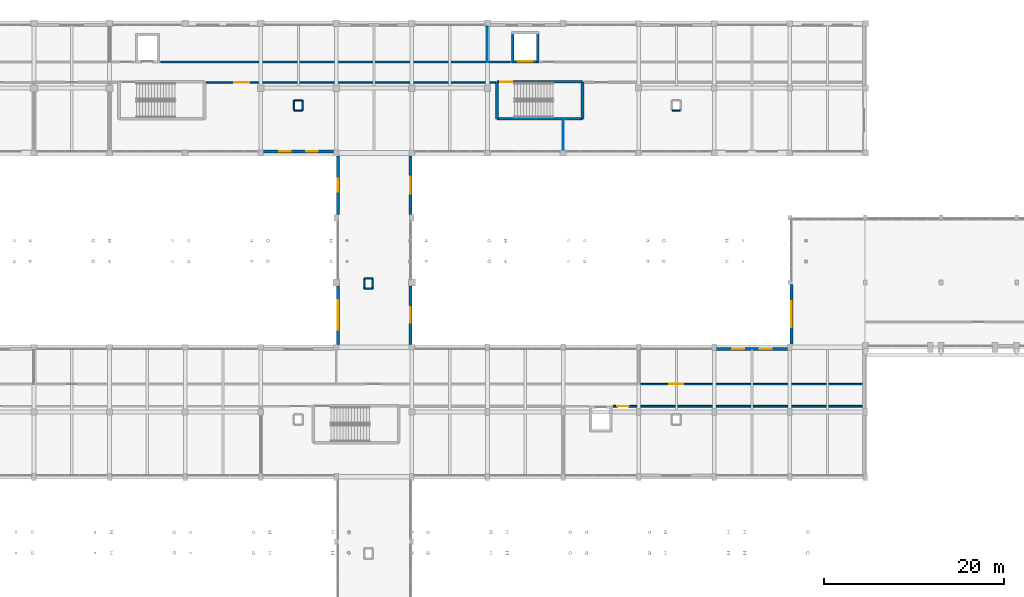
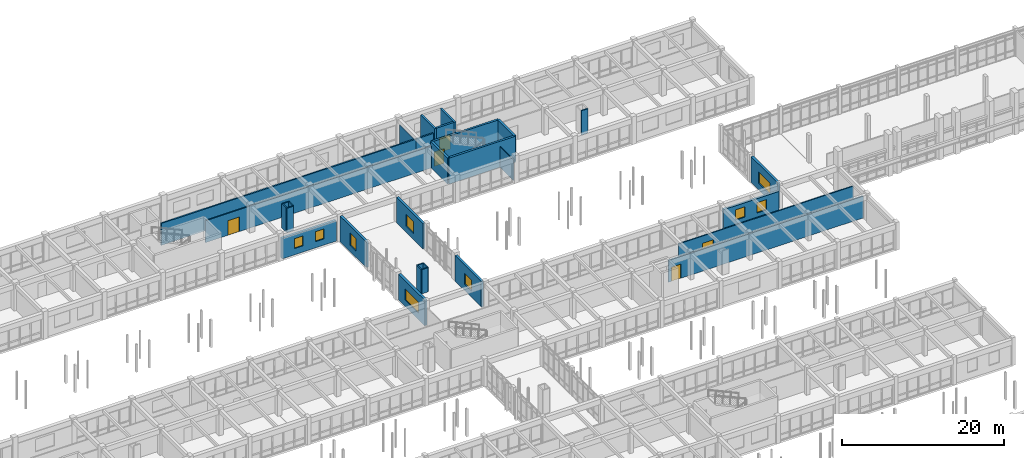
# One storey, part 134 of 147: 30 walls, 9 windows, 5 doors, 14 openings.
"""IFC4 building model written with IfcOpenShell, lengths in metres."""

from ifc_helpers import new_model, si_unit, direction, frame, frame_2d, origin, place, context, subcontext, project, spatial, rectangle, extrude, material, layer, layer_set, type_object, element, fill, save


model = new_model("IFC4")

# Units and contexts
model_context = context("Model", 3, precision=1e-05, world=origin(), true_north=direction((0.0, 1.0)))
body_context = subcontext(model_context, "Body", "Model", "MODEL_VIEW")
ifc_project = project(units=[si_unit("LENGTHUNIT", "METRE"), si_unit("AREAUNIT", "SQUARE_METRE"), si_unit("VOLUMEUNIT", "CUBIC_METRE"), si_unit("PLANEANGLEUNIT", "RADIAN"), si_unit("MASSUNIT", "GRAM", prefix="KILO")], contexts=[model_context])

# Site, building, storey
site_placement = place(None, origin())
site = spatial("IfcSite", under=ifc_project, at=site_placement, CompositionType="ELEMENT")
building_placement = place(site_placement, origin())
building = spatial("IfcBuilding", under=site, at=building_placement, Name="Malvenik Polytechnic", CompositionType="ELEMENT")
storey_placement = place(building_placement, frame((0.0, 0.0, 5.10009765625)))
storey = spatial("IfcBuildingStorey", under=building, at=storey_placement, Name="L01", CompositionType="ELEMENT", Elevation=5.10009765625)

# Wall, opening, door
ifc_material_1 = material(Name="Concrete C35/45", Category="concrete")
ifc_layer_1 = layer(ifc_material_1, 0.280029296875)
ifc_layer_set_1 = layer_set([ifc_layer_1], Name="Concrete C35/45")
wall_type_1 = type_object("IfcWallType", Name="ARC-CW-S280", PredefinedType="SHEAR", material=ifc_layer_set_1)
wall_1_placement = place(storey_placement, frame((98.139892578125, 125.35009765625, 0.0), z_axis=(0.0, 0.0, 1.0), x_axis=(-1.0, 0.0, 0.0)))
wall_1 = element("IfcWall", 1, at=wall_1_placement, inside=storey, type_object=wall_type_1, Name="Lift Shaft Shear Wall LG-01 L01 -Y", PredefinedType="SHEAR", context=body_context, shape_type="SweptSolid", body=[
    extrude(rectangle(XDim=3.079833984375, YDim=0.280029296875, at=frame_2d((1.5400390625, 0.0))), origin(), (0.0, 0.0, 1.0), 3.919921875),
])
opening_1_placement = place(wall_1_placement, frame((0.739990234375, 0.0, 0.0)))
opening_1 = element("IfcOpeningElement", 2, at=opening_1_placement, cuts=wall_1, Name="Opening LD-03", PredefinedType="OPENING", context=body_context, shape_type="SweptSolid", body=[
    extrude(rectangle(XDim=1.60009765625, YDim=2.199951171875, at=frame_2d((0.800048828125, 1.10009765625))), frame((0.0, 0.14990234375, 0.0), z_axis=(0.0, -1.0, 0.0), x_axis=(1.0, 0.0, 0.0)), (0.0, 0.0, 1.0), 0.300048828125),
])
ifc_material_2 = material(Name="Stainless steel fire-rated sliding lift landing door", Category="steel")
door_type_1 = type_object("IfcDoorType", Name="ARC-LDR-LD-03", OperationType="NOTDEFINED", PredefinedType="DOOR", material=ifc_material_2)
door_1_placement = place(opening_1_placement, origin())
door_1 = element("IfcDoor", 3, at=door_1_placement, inside=storey, type_object=door_type_1, Name="Lift Sliding Landing Door LG-01 L01", OperationType="DOUBLE_DOOR_SLIDING", OverallHeight=2.199951171875, OverallWidth=1.60009765625, PredefinedType="DOOR", context=body_context, shape_type="SweptSolid", body=[
    extrude(rectangle(XDim=1.60009765625, YDim=2.199951171875, at=frame_2d((0.800048828125, 1.10009765625))), frame((0.0, 0.02490234375, 0.0), z_axis=(0.0, -1.0, 0.0), x_axis=(1.0, 0.0, 0.0)), (0.0, 0.0, 1.0), 0.050048828125),
])
fill(opening_1, door_1)

# Walls
for number, where, z_axis, x_axis, name in (
    (4, (95.199951171875, 125.2099609375, 0.0), (0.0, 0.0, 1.0), (0.0, 1.0, 0.0), "Lift Shaft Shear Wall LG-01 L01 -X"),
    (5, (98.0, 128.68994140625, 0.0), (0.0, 0.0, 1.0), (0.0, -1.0, 0.0), "Lift Shaft Shear Wall LG-01 L01 +X"),
):
    element("IfcWall", number, at=place(storey_placement, frame(where, z_axis=z_axis, x_axis=x_axis)), inside=storey, type_object=wall_type_1, Name=name, PredefinedType="SHEAR", context=body_context, shape_type="SweptSolid", body=[
        extrude(rectangle(XDim=3.47998046875, YDim=0.280029296875, at=frame_2d((1.739990234375, 0.0))), origin(), (0.0, 0.0, 1.0), 3.919921875),
    ])
ifc_layer_2 = layer(ifc_material_1, 0.300048828125)
ifc_layer_set_2 = layer_set([ifc_layer_2], Name="Concrete C35/45")
wall_type_2 = type_object("IfcWallType", Name="ARC-CW-S300", PredefinedType="SHEAR", material=ifc_layer_set_2)
wall_2_placement = place(storey_placement, frame((93.449951171875, 119.0, 0.0), z_axis=(0.0, 0.0, 1.0), x_axis=(0.0, 1.0, 0.0)))
element("IfcWall", 6, at=wall_2_placement, inside=storey, type_object=wall_type_2, Name="Stair Core Shear Wall ST-03 L01 NEAR", PredefinedType="SHEAR", context=body_context, shape_type="SweptSolid", body=[
    extrude(rectangle(XDim=4.10009765625, YDim=0.300048828125, at=frame_2d((2.050048828125, 0.0))), origin(), (0.0, 0.0, 1.0), 3.919921875),
])

# Wall, opening, door
wall_3_placement = place(storey_placement, frame((93.449951171875, 123.10009765625, 0.0), z_axis=(0.0, 0.0, 1.0), x_axis=(1.0, 0.0, 0.0)))
wall_3 = element("IfcWall", 7, at=wall_3_placement, inside=storey, type_object=wall_type_2, Name="Stair Core Shear Wall ST-03 L01 RGHT", PredefinedType="SHEAR", context=body_context, shape_type="SweptSolid", body=[
    extrude(rectangle(XDim=9.5, YDim=0.300048828125, at=frame_2d((4.75, 0.0))), origin(), (0.0, 0.0, 1.0), 3.919921875),
])
opening_2_placement = place(wall_3_placement, frame((0.35009765625, 0.0, 0.0)))
opening_2 = element("IfcOpeningElement", 8, at=opening_2_placement, cuts=wall_3, Name="Opening SD-01", PredefinedType="OPENING", context=body_context, shape_type="SweptSolid", body=[
    extrude(rectangle(XDim=1.35009765625, YDim=2.199951171875, at=frame_2d((0.675048828125, 1.10009765625))), frame((0.0, 0.16015625, 0.0), z_axis=(0.0, -1.0, 0.0), x_axis=(1.0, 0.0, 0.0)), (0.0, 0.0, 1.0), 0.320068359375),
])
ifc_material_3 = material(Name="Fire-rated steel stair enclosure door", Category="steel")
door_type_2 = type_object("IfcDoorType", Name="ARC-IDR-SD-01", OperationType="NOTDEFINED", PredefinedType="DOOR", material=ifc_material_3)
door_2_placement = place(opening_2_placement, origin())
door_2 = element("IfcDoor", 9, at=door_2_placement, inside=storey, type_object=door_type_2, Name="Fire Stair Door ST-03 L01", OperationType="SINGLE_SWING_RIGHT", OverallHeight=2.199951171875, OverallWidth=1.35009765625, PredefinedType="DOOR", context=body_context, shape_type="SweptSolid", body=[
    extrude(rectangle(XDim=1.35009765625, YDim=2.199951171875, at=frame_2d((0.675048828125, 1.10009765625))), frame((0.0, 0.02490234375, 0.0), z_axis=(0.0, -1.0, 0.0), x_axis=(1.0, 0.0, 0.0)), (0.0, 0.0, 1.0), 0.050048828125),
])
fill(opening_2, door_2)

# Walls
wall_4_placement = place(storey_placement, frame((102.949951171875, 123.10009765625, 0.0), z_axis=(0.0, 0.0, 1.0), x_axis=(0.0, -1.0, 0.0)))
element("IfcWall", 10, at=wall_4_placement, inside=storey, type_object=wall_type_2, Name="Stair Core Shear Wall ST-03 L01 FAR", PredefinedType="SHEAR", context=body_context, shape_type="SweptSolid", body=[
    extrude(rectangle(XDim=4.10009765625, YDim=0.300048828125, at=frame_2d((2.050048828125, 0.0))), origin(), (0.0, 0.0, 1.0), 3.919921875),
])
wall_5_placement = place(storey_placement, frame((102.949951171875, 119.0, 0.0), z_axis=(0.0, 0.0, 1.0), x_axis=(-1.0, 0.0, 0.0)))
element("IfcWall", 11, at=wall_5_placement, inside=storey, type_object=wall_type_2, Name="Stair Core Shear Wall ST-03 L01 LEFT", PredefinedType="SHEAR", context=body_context, shape_type="SweptSolid", body=[
    extrude(rectangle(XDim=9.5, YDim=0.300048828125, at=frame_2d((4.75, 0.0))), origin(), (0.0, 0.0, 1.0), 3.919921875),
])

# Wall, opening, window
ifc_material_4 = material(Name="Concrete C30/37", Category="concrete")
ifc_layer_3 = layer(ifc_material_4, 0.340087890625)
ifc_layer_set_3 = layer_set([ifc_layer_3], Name="Concrete C30/37")
wall_type_3 = type_object("IfcWallType", Name="ARC-EW-340", PredefinedType="SOLIDWALL", material=ifc_layer_set_3)
wall_6_placement = place(storey_placement, frame((75.77001953125, 93.923095703125, 0.0), z_axis=(0.0, 0.0, 1.0), x_axis=(0.0, 1.0, 0.0)))
wall_6 = element("IfcWall", 12, at=wall_6_placement, inside=storey, type_object=wall_type_3, Name="External Facade Wall EW-02 L01 #183", PredefinedType="SOLIDWALL", context=body_context, shape_type="SweptSolid", body=[
    extrude(rectangle(XDim=6.50390625, YDim=0.340087890625, at=frame_2d((3.251953125, 0.0))), origin(), (0.0, 0.0, 1.0), 3.85986328125),
])
opening_3_placement = place(wall_6_placement, frame((1.60205078125, 0.0, 0.949951171875)))
opening_3 = element("IfcOpeningElement", 13, at=opening_3_placement, cuts=wall_6, Name="Opening W-30", PredefinedType="OPENING", context=body_context, shape_type="SweptSolid", body=[
    extrude(rectangle(XDim=3.300048828125, YDim=1.64990234375, at=frame_2d((1.64990234375, 0.824951171875))), frame((0.0, 0.18017578125, 0.0), z_axis=(0.0, -1.0, 0.0), x_axis=(1.0, 0.0, 0.0)), (0.0, 0.0, 1.0), 0.360107421875),
])
ifc_material_5 = material(Name="Thermally broken aluminium frame with low-E double glazing", Category="aluminium")
window_type_1 = type_object("IfcWindowType", Name="ARC-WIN-W-30", PartitioningType="SINGLE_PANEL", PredefinedType="WINDOW", material=ifc_material_5)
window_1_placement = place(opening_3_placement, origin())
window_1 = element("IfcWindow", 14, at=window_1_placement, inside=storey, type_object=window_type_1, Name="Punched Window W-30 L01 #147", OverallHeight=1.64990234375, OverallWidth=3.300048828125, PartitioningType="SINGLE_PANEL", PredefinedType="WINDOW", context=body_context, shape_type="SweptSolid", body=[
    extrude(rectangle(XDim=3.300048828125, YDim=1.64990234375, at=frame_2d((1.64990234375, 0.824951171875))), frame((0.0, 0.030029296875, 0.0), z_axis=(0.0, -1.0, 0.0), x_axis=(1.0, 0.0, 0.0)), (0.0, 0.0, 1.0), 0.06005859375),
])
fill(opening_3, window_1)

wall_7_placement = place(storey_placement, frame((75.77001953125, 108.373046875, 0.0), z_axis=(0.0, 0.0, 1.0), x_axis=(0.0, 1.0, 0.0)))
wall_7 = element("IfcWall", 15, at=wall_7_placement, inside=storey, type_object=wall_type_3, Name="External Facade Wall EW-02 L01 #184", PredefinedType="SOLIDWALL", context=body_context, shape_type="SweptSolid", body=[
    extrude(rectangle(XDim=6.50390625, YDim=0.340087890625, at=frame_2d((3.251953125, 0.0))), origin(), (0.0, 0.0, 1.0), 3.85986328125),
])
opening_4_placement = place(wall_7_placement, frame((2.527099609375, 0.0, 0.949951171875)))
opening_4 = element("IfcOpeningElement", 16, at=opening_4_placement, cuts=wall_7, Name="Opening W-31", PredefinedType="OPENING", context=body_context, shape_type="SweptSolid", body=[
    extrude(rectangle(XDim=1.449951171875, YDim=1.85009765625, at=frame_2d((0.72509765625, 0.925048828125))), frame((0.0, 0.18017578125, 0.0), z_axis=(0.0, -1.0, 0.0), x_axis=(1.0, 0.0, 0.0)), (0.0, 0.0, 1.0), 0.360107421875),
])
window_type_2 = type_object("IfcWindowType", Name="ARC-WIN-W-31", PartitioningType="SINGLE_PANEL", PredefinedType="WINDOW", material=ifc_material_5)
window_2_placement = place(opening_4_placement, origin())
window_2 = element("IfcWindow", 17, at=window_2_placement, inside=storey, type_object=window_type_2, Name="Punched Window W-31 L01 #148", OverallHeight=1.85009765625, OverallWidth=1.449951171875, PartitioningType="SINGLE_PANEL", PredefinedType="WINDOW", context=body_context, shape_type="SweptSolid", body=[
    extrude(rectangle(XDim=1.449951171875, YDim=1.85009765625, at=frame_2d((0.72509765625, 0.925048828125))), frame((0.0, 0.030029296875, 0.0), z_axis=(0.0, -1.0, 0.0), x_axis=(1.0, 0.0, 0.0)), (0.0, 0.0, 1.0), 0.06005859375),
])
fill(opening_4, window_2)

# Wall, openings, windows
wall_8_placement = place(storey_placement, frame((75.277099609375, 115.3701171875, 0.0), z_axis=(0.0, 0.0, 1.0), x_axis=(-1.0, 0.0, 0.0)))
wall_8 = element("IfcWall", 18, at=wall_8_placement, inside=storey, type_object=wall_type_3, Name="External Facade Wall EW-02 L01 #185", PredefinedType="SOLIDWALL", context=body_context, shape_type="SweptSolid", body=[
    extrude(rectangle(XDim=7.754150390625, YDim=0.340087890625, at=frame_2d((3.876953125, 0.0))), origin(), (0.0, 0.0, 1.0), 3.10986328125),
])
opening_5_placement = place(wall_8_placement, frame((1.751220703125, 0.0, 0.949951171875)))
opening_5 = element("IfcOpeningElement", 19, at=opening_5_placement, cuts=wall_8, Name="Opening W-32", PredefinedType="OPENING", context=body_context, shape_type="SweptSolid", body=[
    extrude(rectangle(XDim=1.25, YDim=1.5, at=frame_2d((0.625, 0.75))), frame((0.0, 0.18017578125, 0.0), z_axis=(0.0, -1.0, 0.0), x_axis=(1.0, 0.0, 0.0)), (0.0, 0.0, 1.0), 0.360107421875),
])
opening_6_placement = place(wall_8_placement, frame((4.752685546875, 0.0, 0.949951171875)))
opening_6 = element("IfcOpeningElement", 20, at=opening_6_placement, cuts=wall_8, Name="Opening W-32", PredefinedType="OPENING", context=body_context, shape_type="SweptSolid", body=[
    extrude(rectangle(XDim=1.25, YDim=1.5, at=frame_2d((0.625, 0.75))), frame((0.0, 0.18017578125, 0.0), z_axis=(0.0, -1.0, 0.0), x_axis=(1.0, 0.0, 0.0)), (0.0, 0.0, 1.0), 0.360107421875),
])
window_type_3 = type_object("IfcWindowType", Name="ARC-WIN-W-32", PartitioningType="SINGLE_PANEL", PredefinedType="WINDOW", material=ifc_material_5)
window_3_placement = place(opening_5_placement, origin())
window_3 = element("IfcWindow", 21, at=window_3_placement, inside=storey, type_object=window_type_3, Name="Punched Window W-32 L01 #149", OverallHeight=1.5, OverallWidth=1.25, PartitioningType="SINGLE_PANEL", PredefinedType="WINDOW", context=body_context, shape_type="SweptSolid", body=[
    extrude(rectangle(XDim=1.25, YDim=1.5, at=frame_2d((0.625, 0.75))), frame((0.0, 0.030029296875, 0.0), z_axis=(0.0, -1.0, 0.0), x_axis=(1.0, 0.0, 0.0)), (0.0, 0.0, 1.0), 0.06005859375),
])
fill(opening_5, window_3)
window_4_placement = place(opening_6_placement, origin())
window_4 = element("IfcWindow", 22, at=window_4_placement, inside=storey, type_object=window_type_3, Name="Punched Window W-32 L01 #150", OverallHeight=1.5, OverallWidth=1.25, PartitioningType="SINGLE_PANEL", PredefinedType="WINDOW", context=body_context, shape_type="SweptSolid", body=[
    extrude(rectangle(XDim=1.25, YDim=1.5, at=frame_2d((0.625, 0.75))), frame((0.0, 0.030029296875, 0.0), z_axis=(0.0, -1.0, 0.0), x_axis=(1.0, 0.0, 0.0)), (0.0, 0.0, 1.0), 0.06005859375),
])
fill(opening_6, window_4)

# Wall, opening, window
wall_9_placement = place(storey_placement, frame((83.830078125, 114.876953125, 0.0), z_axis=(0.0, 0.0, 1.0), x_axis=(0.0, -1.0, 0.0)))
wall_9 = element("IfcWall", 23, at=wall_9_placement, inside=storey, type_object=wall_type_3, Name="External Facade Wall EW-02 L01 #201", PredefinedType="SOLIDWALL", context=body_context, shape_type="SweptSolid", body=[
    extrude(rectangle(XDim=6.50390625, YDim=0.340087890625, at=frame_2d((3.251953125, 0.0))), origin(), (0.0, 0.0, 1.0), 3.85986328125),
])
opening_7_placement = place(wall_9_placement, frame((2.302001953125, 0.0, 0.949951171875)))
opening_7 = element("IfcOpeningElement", 24, at=opening_7_placement, cuts=wall_9, Name="Opening W-24", PredefinedType="OPENING", context=body_context, shape_type="SweptSolid", body=[
    extrude(rectangle(XDim=1.89990234375, YDim=1.75, at=frame_2d((0.949951171875, 0.875))), frame((0.0, 0.18017578125, 0.0), z_axis=(0.0, -1.0, 0.0), x_axis=(1.0, 0.0, 0.0)), (0.0, 0.0, 1.0), 0.360107421875),
])
window_type_4 = type_object("IfcWindowType", Name="ARC-WIN-W-24", PartitioningType="SINGLE_PANEL", PredefinedType="WINDOW", material=ifc_material_5)
window_5_placement = place(opening_7_placement, origin())
window_5 = element("IfcWindow", 25, at=window_5_placement, inside=storey, type_object=window_type_4, Name="Punched Window W-24 L01 #173", OverallHeight=1.75, OverallWidth=1.89990234375, PartitioningType="SINGLE_PANEL", PredefinedType="WINDOW", context=body_context, shape_type="SweptSolid", body=[
    extrude(rectangle(XDim=1.89990234375, YDim=1.75, at=frame_2d((0.949951171875, 0.875))), frame((0.0, 0.030029296875, 0.0), z_axis=(0.0, -1.0, 0.0), x_axis=(1.0, 0.0, 0.0)), (0.0, 0.0, 1.0), 0.06005859375),
])
fill(opening_7, window_5)

wall_10_placement = place(storey_placement, frame((83.830078125, 100.427001953125, 0.0), z_axis=(0.0, 0.0, 1.0), x_axis=(0.0, -1.0, 0.0)))
wall_10 = element("IfcWall", 26, at=wall_10_placement, inside=storey, type_object=wall_type_3, Name="External Facade Wall EW-02 L01 #202", PredefinedType="SOLIDWALL", context=body_context, shape_type="SweptSolid", body=[
    extrude(rectangle(XDim=6.50390625, YDim=0.340087890625, at=frame_2d((3.251953125, 0.0))), origin(), (0.0, 0.0, 1.0), 3.85986328125),
])
opening_8_placement = place(wall_10_placement, frame((2.402099609375, 0.0, 0.949951171875)))
opening_8 = element("IfcOpeningElement", 27, at=opening_8_placement, cuts=wall_10, Name="Opening W-25", PredefinedType="OPENING", context=body_context, shape_type="SweptSolid", body=[
    extrude(rectangle(XDim=1.699951171875, YDim=1.64990234375, at=frame_2d((0.85009765625, 0.824951171875))), frame((0.0, 0.18017578125, 0.0), z_axis=(0.0, -1.0, 0.0), x_axis=(1.0, 0.0, 0.0)), (0.0, 0.0, 1.0), 0.360107421875),
])
window_type_5 = type_object("IfcWindowType", Name="ARC-WIN-W-25", PartitioningType="SINGLE_PANEL", PredefinedType="WINDOW", material=ifc_material_5)
window_6_placement = place(opening_8_placement, origin())
window_6 = element("IfcWindow", 28, at=window_6_placement, inside=storey, type_object=window_type_5, Name="Punched Window W-25 L01 #174", OverallHeight=1.64990234375, OverallWidth=1.699951171875, PartitioningType="SINGLE_PANEL", PredefinedType="WINDOW", context=body_context, shape_type="SweptSolid", body=[
    extrude(rectangle(XDim=1.699951171875, YDim=1.64990234375, at=frame_2d((0.85009765625, 0.824951171875))), frame((0.0, 0.030029296875, 0.0), z_axis=(0.0, -1.0, 0.0), x_axis=(1.0, 0.0, 0.0)), (0.0, 0.0, 1.0), 0.06005859375),
])
fill(opening_8, window_6)

# Wall, openings, windows
wall_11_placement = place(storey_placement, frame((117.847900390625, 93.429931640625, 0.0), z_axis=(0.0, 0.0, 1.0), x_axis=(1.0, 0.0, 0.0)))
wall_11 = element("IfcWall", 29, at=wall_11_placement, inside=storey, type_object=wall_type_3, Name="External Facade Wall EW-02 L01 #203", PredefinedType="SOLIDWALL", context=body_context, shape_type="SweptSolid", body=[
    extrude(rectangle(XDim=7.904052734375, YDim=0.340087890625, at=frame_2d((3.9521484375, 0.0))), origin(), (0.0, 0.0, 1.0), 3.10986328125),
])
opening_9_placement = place(wall_11_placement, frame((1.734619140625, 0.0, 0.949951171875)))
opening_9 = element("IfcOpeningElement", 30, at=opening_9_placement, cuts=wall_11, Name="Opening W-26", PredefinedType="OPENING", context=body_context, shape_type="SweptSolid", body=[
    extrude(rectangle(XDim=1.35009765625, YDim=1.550048828125, at=frame_2d((0.675048828125, 0.77490234375))), frame((0.0, 0.18017578125, 0.0), z_axis=(0.0, -1.0, 0.0), x_axis=(1.0, 0.0, 0.0)), (0.0, 0.0, 1.0), 0.360107421875),
])
opening_10_placement = place(wall_11_placement, frame((4.8193359375, 0.0, 0.949951171875)))
opening_10 = element("IfcOpeningElement", 31, at=opening_10_placement, cuts=wall_11, Name="Opening W-26", PredefinedType="OPENING", context=body_context, shape_type="SweptSolid", body=[
    extrude(rectangle(XDim=1.35009765625, YDim=1.550048828125, at=frame_2d((0.675048828125, 0.77490234375))), frame((0.0, 0.18017578125, 0.0), z_axis=(0.0, -1.0, 0.0), x_axis=(1.0, 0.0, 0.0)), (0.0, 0.0, 1.0), 0.360107421875),
])
window_type_6 = type_object("IfcWindowType", Name="ARC-WIN-W-26", PartitioningType="SINGLE_PANEL", PredefinedType="WINDOW", material=ifc_material_5)
window_7_placement = place(opening_9_placement, origin())
window_7 = element("IfcWindow", 32, at=window_7_placement, inside=storey, type_object=window_type_6, Name="Punched Window W-26 L01 #175", OverallHeight=1.550048828125, OverallWidth=1.35009765625, PartitioningType="SINGLE_PANEL", PredefinedType="WINDOW", context=body_context, shape_type="SweptSolid", body=[
    extrude(rectangle(XDim=1.35009765625, YDim=1.550048828125, at=frame_2d((0.675048828125, 0.77490234375))), frame((0.0, 0.030029296875, 0.0), z_axis=(0.0, -1.0, 0.0), x_axis=(1.0, 0.0, 0.0)), (0.0, 0.0, 1.0), 0.06005859375),
])
fill(opening_9, window_7)
window_8_placement = place(opening_10_placement, origin())
window_8 = element("IfcWindow", 33, at=window_8_placement, inside=storey, type_object=window_type_6, Name="Punched Window W-26 L01 #176", OverallHeight=1.550048828125, OverallWidth=1.35009765625, PartitioningType="SINGLE_PANEL", PredefinedType="WINDOW", context=body_context, shape_type="SweptSolid", body=[
    extrude(rectangle(XDim=1.35009765625, YDim=1.550048828125, at=frame_2d((0.675048828125, 0.77490234375))), frame((0.0, 0.030029296875, 0.0), z_axis=(0.0, -1.0, 0.0), x_axis=(1.0, 0.0, 0.0)), (0.0, 0.0, 1.0), 0.06005859375),
])
fill(opening_10, window_8)

# Wall, opening, window
wall_12_placement = place(storey_placement, frame((126.169921875, 93.972900390625, 0.0), z_axis=(0.0, 0.0, 1.0), x_axis=(0.0, 1.0, 0.0)))
wall_12 = element("IfcWall", 34, at=wall_12_placement, inside=storey, type_object=wall_type_3, Name="External Facade Wall EW-02 L01 #204", PredefinedType="SOLIDWALL", context=body_context, shape_type="SweptSolid", body=[
    extrude(rectangle(XDim=6.60400390625, YDim=0.340087890625, at=frame_2d((3.302001953125, 0.0))), origin(), (0.0, 0.0, 1.0), 3.85986328125),
])
opening_11_placement = place(wall_12_placement, frame((1.85205078125, 0.0, 0.949951171875)))
opening_11 = element("IfcOpeningElement", 35, at=opening_11_placement, cuts=wall_12, Name="Opening W-28", PredefinedType="OPENING", context=body_context, shape_type="SweptSolid", body=[
    extrude(rectangle(XDim=2.89990234375, YDim=1.75, at=frame_2d((1.449951171875, 0.875))), frame((0.0, 0.18017578125, 0.0), z_axis=(0.0, -1.0, 0.0), x_axis=(1.0, 0.0, 0.0)), (0.0, 0.0, 1.0), 0.360107421875),
])
window_type_7 = type_object("IfcWindowType", Name="ARC-WIN-W-28", PartitioningType="SINGLE_PANEL", PredefinedType="WINDOW", material=ifc_material_5)
window_9_placement = place(opening_11_placement, origin())
window_9 = element("IfcWindow", 36, at=window_9_placement, inside=storey, type_object=window_type_7, Name="Punched Window W-28 L01 #177", OverallHeight=1.75, OverallWidth=2.89990234375, PartitioningType="SINGLE_PANEL", PredefinedType="WINDOW", context=body_context, shape_type="SweptSolid", body=[
    extrude(rectangle(XDim=2.89990234375, YDim=1.75, at=frame_2d((1.449951171875, 0.875))), frame((0.0, 0.030029296875, 0.0), z_axis=(0.0, -1.0, 0.0), x_axis=(1.0, 0.0, 0.0)), (0.0, 0.0, 1.0), 0.06005859375),
])
fill(opening_11, window_9)

# Walls
ifc_material_6 = material(Name="Calcium silicate fire-rated blockwork 200mm", Category="masonry")
ifc_layer_4 = layer(ifc_material_6, 0.199951171875)
ifc_layer_set_4 = layer_set([ifc_layer_4], Name="Calcium silicate fire-rated blockwork 200mm")
wall_type_4 = type_object("IfcWallType", Name="ARC-FW-200", PredefinedType="SOLIDWALL", material=ifc_layer_set_4)
wall_13_placement = place(storey_placement, frame((56.070068359375, 125.300048828125, 0.0), z_axis=(0.0, 0.0, 1.0), x_axis=(1.0, 0.0, 0.0)))
element("IfcWall", 37, at=wall_13_placement, inside=storey, type_object=wall_type_4, Name="Interior Partition FW-02 L01 #154", PredefinedType="SOLIDWALL", context=body_context, shape_type="SweptSolid", body=[
    extrude(rectangle(XDim=36.329833984375, YDim=0.199951171875, at=frame_2d((18.1650390625, 0.0))), origin(), (0.0, 0.0, 1.0), 3.304931640625),
])
wall_14_placement = place(storey_placement, frame((92.39990234375, 125.300048828125, 0.0), z_axis=(0.0, 0.0, 1.0), x_axis=(1.0, 0.0, 0.0)))
element("IfcWall", 38, at=wall_14_placement, inside=storey, type_object=wall_type_4, Name="Interior Partition FW-02 L01 #156", PredefinedType="SOLIDWALL", context=body_context, shape_type="SweptSolid", body=[
    extrude(rectangle(XDim=2.530029296875, YDim=0.199951171875, at=frame_2d((1.26513671875, 0.0))), origin(), (0.0, 0.0, 1.0), 3.304931640625),
])

# Wall, opening, door
wall_15_placement = place(storey_placement, frame((134.179931640625, 87.050048828125, 0.0), z_axis=(0.0, 0.0, 1.0), x_axis=(-1.0, 0.0, 0.0)))
wall_15 = element("IfcWall", 39, at=wall_15_placement, inside=storey, type_object=wall_type_4, Name="Interior Partition FW-02 L01 #194", PredefinedType="SOLIDWALL", context=body_context, shape_type="SweptSolid", body=[
    extrude(rectangle(XDim=27.809814453125, YDim=0.199951171875, at=frame_2d((13.90478515625, 0.0))), origin(), (0.0, 0.0, 1.0), 3.304931640625),
])
opening_12_placement = place(wall_15_placement, frame((26.06005859375, 0.0, 0.0)))
opening_12 = element("IfcOpeningElement", 40, at=opening_12_placement, cuts=wall_15, Name="Opening FD-04", PredefinedType="OPENING", context=body_context, shape_type="SweptSolid", body=[
    extrude(rectangle(XDim=1.300048828125, YDim=2.14990234375, at=frame_2d((0.64990234375, 1.074951171875))), frame((0.0, 0.10986328125, 0.0), z_axis=(0.0, -1.0, 0.0), x_axis=(1.0, 0.0, 0.0)), (0.0, 0.0, 1.0), 0.219970703125),
])
ifc_material_7 = material(Name="Fire-rated plant room steel door", Category="steel")
door_type_3 = type_object("IfcDoorType", Name="ARC-IDR-FD-04", OperationType="NOTDEFINED", PredefinedType="DOOR", material=ifc_material_7)
door_3_placement = place(opening_12_placement, origin())
door_3 = element("IfcDoor", 41, at=door_3_placement, inside=storey, type_object=door_type_3, Name="Interior Door FD-04 L01 #82", OperationType="SINGLE_SWING_RIGHT", OverallHeight=2.14990234375, OverallWidth=1.300048828125, PredefinedType="DOOR", context=body_context, shape_type="SweptSolid", body=[
    extrude(rectangle(XDim=1.300048828125, YDim=2.14990234375, at=frame_2d((0.64990234375, 1.074951171875))), frame((0.0, 0.02490234375, 0.0), z_axis=(0.0, -1.0, 0.0), x_axis=(1.0, 0.0, 0.0)), (0.0, 0.0, 1.0), 0.050048828125),
])
fill(opening_12, door_3)

# Walls
ifc_material_8 = material(Name="Lightweight gypsum partition 110mm", Category="gypsum")
ifc_layer_5 = layer(ifc_material_8, 0.110107421875)
ifc_layer_set_5 = layer_set([ifc_layer_5], Name="Lightweight gypsum partition 110mm")
wall_type_5 = type_object("IfcWallType", Name="ARC-PW-110", PredefinedType="PARTITIONING", material=ifc_layer_set_5)
wall_16_placement = place(storey_placement, frame((92.39990234375, 125.300048828125, 0.0), z_axis=(0.0, 0.0, 1.0), x_axis=(0.0, 1.0, 0.0)))
element("IfcWall", 42, at=wall_16_placement, inside=storey, type_object=wall_type_5, Name="Interior Partition PW-04I L01 #155", PredefinedType="PARTITIONING", context=body_context, shape_type="SweptSolid", body=[
    extrude(rectangle(XDim=3.929931640625, YDim=0.110107421875, at=frame_2d((1.96484375, 0.0))), origin(), (0.0, 0.0, 1.0), 3.10498046875),
])
wall_17_placement = place(storey_placement, frame((100.800048828125, 115.544921875, 0.0), z_axis=(0.0, 0.0, 1.0), x_axis=(0.0, 1.0, 0.0)))
element("IfcWall", 43, at=wall_17_placement, inside=storey, type_object=wall_type_5, Name="Interior Partition PW-04I L01 #173", PredefinedType="PARTITIONING", context=body_context, shape_type="SweptSolid", body=[
    extrude(rectangle(XDim=3.315185546875, YDim=0.110107421875, at=frame_2d((1.65771484375, 0.0))), origin(), (0.0, 0.0, 1.0), 3.10498046875),
])
ifc_material_9 = material(Name="Double-stud acoustic gypsum board partition 160mm", Category="gypsum")
ifc_layer_6 = layer(ifc_material_9, 0.159912109375)
ifc_layer_set_6 = layer_set([ifc_layer_6], Name="Double-stud acoustic gypsum board partition 160mm")
wall_type_6 = type_object("IfcWallType", Name="ARC-PW-160", PredefinedType="PARTITIONING", material=ifc_layer_set_6)
for number, where, z_axis, x_axis, name in (
    (44, (70.919921875, 119.919921875, 0.0), (0.0, 0.0, 1.0), (1.0, 0.0, 0.0), "Riser Shaft Enclosure L01 #14S"),
    (45, (71.830078125, 121.030029296875, 0.0), (0.0, 0.0, 1.0), (-1.0, 0.0, 0.0), "Riser Shaft Enclosure L01 #14N"),
):
    element("IfcWall", number, at=place(storey_placement, frame(where, z_axis=z_axis, x_axis=x_axis)), inside=storey, type_object=wall_type_6, Name=name, PredefinedType="PARTITIONING", context=body_context, shape_type="SweptSolid", body=[
        extrude(rectangle(XDim=0.91015625, YDim=0.159912109375, at=frame_2d((0.455078125, 0.0))), origin(), (0.0, 0.0, 1.0), 3.64990234375),
    ])
for number, where, z_axis, x_axis, name in (
    (46, (70.919921875, 121.030029296875, 0.0), (0.0, 0.0, 1.0), (0.0, -1.0, 0.0), "Riser Shaft Enclosure L01 #14W"),
    (47, (71.830078125, 119.919921875, 0.0), (0.0, 0.0, 1.0), (0.0, 1.0, 0.0), "Riser Shaft Enclosure L01 #14E"),
):
    element("IfcWall", number, at=place(storey_placement, frame(where, z_axis=z_axis, x_axis=x_axis)), inside=storey, type_object=wall_type_6, Name=name, PredefinedType="PARTITIONING", context=body_context, shape_type="SweptSolid", body=[
        extrude(rectangle(XDim=1.110107421875, YDim=0.159912109375, at=frame_2d((0.55517578125, 0.0))), origin(), (0.0, 0.0, 1.0), 3.64990234375),
    ])
wall_18_placement = place(storey_placement, frame((112.919921875, 119.919921875, 0.0), z_axis=(0.0, 0.0, 1.0), x_axis=(1.0, 0.0, 0.0)))
element("IfcWall", 48, at=wall_18_placement, inside=storey, type_object=wall_type_6, Name="Riser Shaft Enclosure L01 #15S", PredefinedType="PARTITIONING", context=body_context, shape_type="SweptSolid", body=[
    extrude(rectangle(XDim=0.91015625, YDim=0.159912109375, at=frame_2d((0.455078125, 0.0))), origin(), (0.0, 0.0, 1.0), 3.64990234375),
])
for number, where, z_axis, x_axis, name in (
    (49, (78.719970703125, 100.1201171875, 0.0), (0.0, 0.0, 1.0), (1.0, 0.0, 0.0), "Riser Shaft Enclosure L01 #24S"),
    (50, (79.6298828125, 101.22998046875, 0.0), (0.0, 0.0, 1.0), (-1.0, 0.0, 0.0), "Riser Shaft Enclosure L01 #24N"),
):
    element("IfcWall", number, at=place(storey_placement, frame(where, z_axis=z_axis, x_axis=x_axis)), inside=storey, type_object=wall_type_6, Name=name, PredefinedType="PARTITIONING", context=body_context, shape_type="SweptSolid", body=[
        extrude(rectangle(XDim=0.909912109375, YDim=0.159912109375, at=frame_2d((0.455078125, 0.0))), origin(), (0.0, 0.0, 1.0), 3.64990234375),
    ])
for number, where, z_axis, x_axis, name in (
    (51, (78.719970703125, 101.22998046875, 0.0), (0.0, 0.0, 1.0), (0.0, -1.0, 0.0), "Riser Shaft Enclosure L01 #24W"),
    (52, (79.6298828125, 100.1201171875, 0.0), (0.0, 0.0, 1.0), (0.0, 1.0, 0.0), "Riser Shaft Enclosure L01 #24E"),
):
    element("IfcWall", number, at=place(storey_placement, frame(where, z_axis=z_axis, x_axis=x_axis)), inside=storey, type_object=wall_type_6, Name=name, PredefinedType="PARTITIONING", context=body_context, shape_type="SweptSolid", body=[
        extrude(rectangle(XDim=1.10986328125, YDim=0.159912109375, at=frame_2d((0.554931640625, 0.0))), origin(), (0.0, 0.0, 1.0), 3.64990234375),
    ])

# Wall, opening, door
wall_19_placement = place(storey_placement, frame((93.31005859375, 123.050048828125, 0.0), z_axis=(0.0, 0.0, 1.0), x_axis=(-1.0, 0.0, 0.0)))
wall_19 = element("IfcWall", 53, at=wall_19_placement, inside=storey, type_object=wall_type_6, Name="Interior Partition PW-01I L01 #171", PredefinedType="PARTITIONING", context=body_context, shape_type="SweptSolid", body=[
    extrude(rectangle(XDim=32.219970703125, YDim=0.159912109375, at=frame_2d((16.10986328125, 0.0))), origin(), (0.0, 0.0, 1.0), 3.304931640625),
])
opening_13_placement = place(wall_19_placement, frame((27.385009765625, 0.0, 0.0)))
opening_13 = element("IfcOpeningElement", 54, at=opening_13_placement, cuts=wall_19, Name="Opening FD-03", PredefinedType="OPENING", context=body_context, shape_type="SweptSolid", body=[
    extrude(rectangle(XDim=1.64990234375, YDim=2.199951171875, at=frame_2d((0.824951171875, 1.10009765625))), frame((0.0, 0.08984375, 0.0), z_axis=(0.0, -1.0, 0.0), x_axis=(1.0, 0.0, 0.0)), (0.0, 0.0, 1.0), 0.179931640625),
])
ifc_material_10 = material(Name="Fire-rated double-leaf laboratory door", Category="steel")
door_type_4 = type_object("IfcDoorType", Name="ARC-IDR-FD-03", OperationType="NOTDEFINED", PredefinedType="DOOR", material=ifc_material_10)
door_4_placement = place(opening_13_placement, origin())
door_4 = element("IfcDoor", 55, at=door_4_placement, inside=storey, type_object=door_type_4, Name="Interior Door FD-03 L01 #73", OperationType="DOUBLE_DOOR_SINGLE_SWING", OverallHeight=2.199951171875, OverallWidth=1.64990234375, PredefinedType="DOOR", context=body_context, shape_type="SweptSolid", body=[
    extrude(rectangle(XDim=1.64990234375, YDim=2.199951171875, at=frame_2d((0.824951171875, 1.10009765625))), frame((0.0, 0.02490234375, 0.0), z_axis=(0.0, -1.0, 0.0), x_axis=(1.0, 0.0, 0.0)), (0.0, 0.0, 1.0), 0.050048828125),
])
fill(opening_13, door_4)

wall_20_placement = place(storey_placement, frame((109.199951171875, 89.5, 0.0), z_axis=(0.0, 0.0, 1.0), x_axis=(1.0, 0.0, 0.0)))
wall_20 = element("IfcWall", 56, at=wall_20_placement, inside=storey, type_object=wall_type_6, Name="Interior Partition PW-01I L01 #181", PredefinedType="PARTITIONING", context=body_context, shape_type="SweptSolid", body=[
    extrude(rectangle(XDim=24.97998046875, YDim=0.159912109375, at=frame_2d((12.489990234375, 0.0))), origin(), (0.0, 0.0, 1.0), 3.304931640625),
])
opening_14_placement = place(wall_20_placement, frame((3.425048828125, 0.0, 0.0)))
opening_14 = element("IfcOpeningElement", 57, at=opening_14_placement, cuts=wall_20, Name="Opening FD-09", PredefinedType="OPENING", context=body_context, shape_type="SweptSolid", body=[
    extrude(rectangle(XDim=1.550048828125, YDim=2.199951171875, at=frame_2d((0.77490234375, 1.10009765625))), frame((0.0, 0.08984375, 0.0), z_axis=(0.0, -1.0, 0.0), x_axis=(1.0, 0.0, 0.0)), (0.0, 0.0, 1.0), 0.179931640625),
])
ifc_material_11 = material(Name="Fire-rated studio corridor double door", Category="steel")
door_type_5 = type_object("IfcDoorType", Name="ARC-IDR-FD-09", OperationType="NOTDEFINED", PredefinedType="DOOR", material=ifc_material_11)
door_5_placement = place(opening_14_placement, origin())
door_5 = element("IfcDoor", 58, at=door_5_placement, inside=storey, type_object=door_type_5, Name="Interior Door FD-09 L01 #78", OperationType="DOUBLE_DOOR_SINGLE_SWING", OverallHeight=2.199951171875, OverallWidth=1.550048828125, PredefinedType="DOOR", context=body_context, shape_type="SweptSolid", body=[
    extrude(rectangle(XDim=1.550048828125, YDim=2.199951171875, at=frame_2d((0.77490234375, 1.10009765625))), frame((0.0, 0.02490234375, 0.0), z_axis=(0.0, -1.0, 0.0), x_axis=(1.0, 0.0, 0.0)), (0.0, 0.0, 1.0), 0.050048828125),
])
fill(opening_14, door_5)

save(model, "model.ifc")
